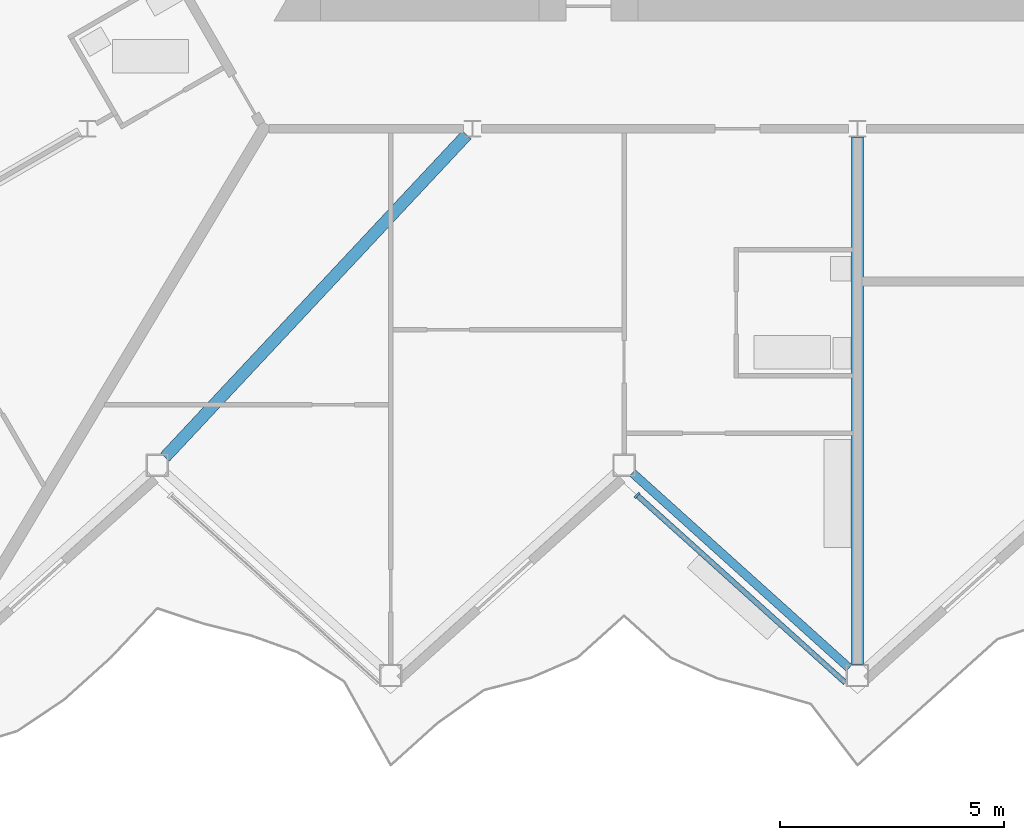
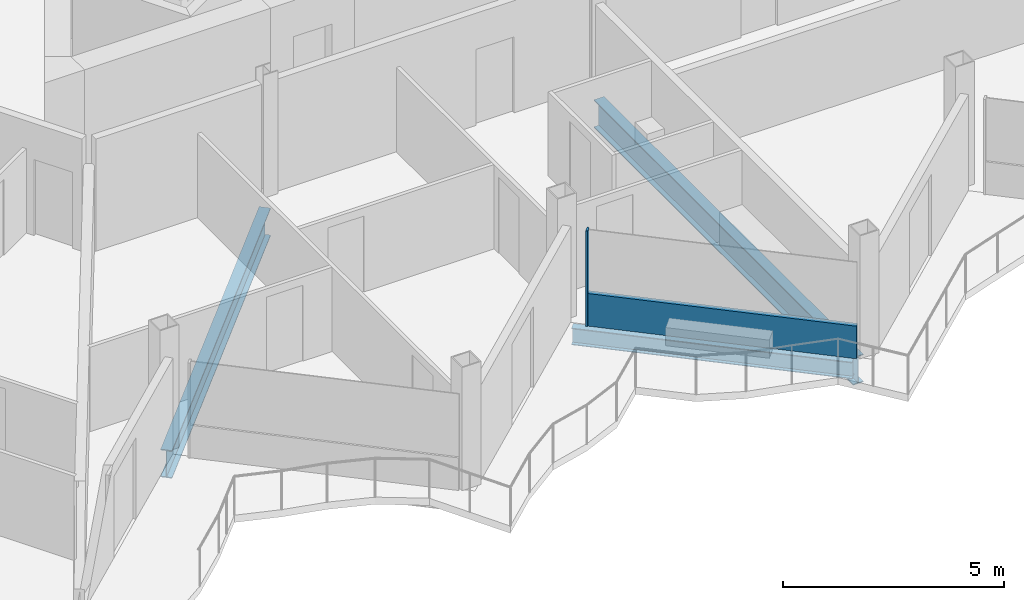
# One storey, part 5 of 26: 3 beams, 2 members, 1 element without a shape of its own.
"""IFC4 building model written with IfcOpenShell, lengths in metres."""

from ifc_helpers import new_model, si_unit, direction, frame, origin, origin_2d, place, context, subcontext, project, spatial, rectangle, i_section, extrude, material, layer, layer_set, material_profile, profile_set, type_object, element, aggregate, save


model = new_model("IFC4")

# Units and contexts
model_context = context("Model", 3, precision=1e-05, world=origin(), true_north=direction((0.0, 1.0)))
body_context = subcontext(model_context, "Body", "Model", "MODEL_VIEW")
ifc_project = project(units=[si_unit("LENGTHUNIT", "METRE"), si_unit("AREAUNIT", "SQUARE_METRE"), si_unit("VOLUMEUNIT", "CUBIC_METRE"), si_unit("PLANEANGLEUNIT", "RADIAN"), si_unit("MASSUNIT", "GRAM", prefix="KILO")], contexts=[model_context])

# Site, building, storey
site_placement = place(None, origin())
site = spatial("IfcSite", under=ifc_project, at=site_placement, CompositionType="ELEMENT")
building_placement = place(site_placement, origin())
building = spatial("IfcBuilding", under=site, at=building_placement, Name="Cormorant Prow Tower", CompositionType="ELEMENT")
storey_placement = place(building_placement, frame((0.0, 0.0, 384.800048828125)))
storey = spatial("IfcBuildingStorey", under=building, at=storey_placement, Name="L87", CompositionType="ELEMENT", Elevation=384.800048828125)

# Beams
ifc_material_1 = material(Name="Structural steel ASTM A992 Gr 50", Category="steel")
ifc_material_profile_1 = material_profile(ifc_material_1, i_section(OverallWidth=0.267822265625, OverallDepth=0.77001953125, WebThickness=0.015625, FlangeThickness=0.025390625, at=origin_2d()), Name="W30x132")
ifc_profile_set_1 = profile_set([ifc_material_profile_1], Name="Structural steel ASTM A992 Gr 50")
beam_type_1 = type_object("IfcBeamType", Name="Radial floor beam W30x132", PredefinedType="BEAM", material=ifc_profile_set_1)
beam_1_placement = place(storey_placement, frame((-8.706298828125, -10.0419921875, -0.68505859375), z_axis=(-0.683430760659, -0.730015339144, 0.0), x_axis=(0.730015339144, -0.683430760659, 0.0)))
element("IfcBeam", 1, at=beam_1_placement, inside=storey, type_object=beam_type_1, Name="Radial floor beam FB3 6 L87", PredefinedType="BEAM", context=body_context, shape_type="SweptSolid", body=[
    extrude(i_section(OverallWidth=0.267822265625, OverallDepth=0.77001953125, WebThickness=0.015625, FlangeThickness=0.025390625, at=origin_2d()), origin(), (0.0, 0.0, 1.0), 9.8369140625),
])
beam_2_placement = place(storey_placement, frame((0.0, -10.092529296875, -0.68505859375), z_axis=(0.0, -1.0, 0.0), x_axis=(1.0, 0.0, 0.0)))
element("IfcBeam", 2, at=beam_2_placement, inside=storey, type_object=beam_type_1, Name="Radial floor beam FB3 7 L87", PredefinedType="BEAM", context=body_context, shape_type="SweptSolid", body=[
    extrude(i_section(OverallWidth=0.267822265625, OverallDepth=0.77001953125, WebThickness=0.015625, FlangeThickness=0.025390625, at=origin_2d()), origin(), (0.0, 0.0, 1.0), 11.745361328125),
])

# Curtain wall, members
ifc_material_2 = material(Name="Aluminium 6063-T6", Category="aluminium")
ifc_layer = layer(ifc_material_2, 0.159912109375)
ifc_layer_set = layer_set([ifc_layer], Name="Aluminium 6063-T6")
curtain_wall_type = type_object("IfcCurtainWallType", Name="Residential unitised curtain wall 160", PredefinedType="NOTDEFINED", material=ifc_layer_set)
curtain_wall_placement = place(storey_placement, origin())
curtain_wall = element("IfcCurtainWall", 3, at=curtain_wall_placement, inside=storey, type_object=curtain_wall_type, Name="Residential curtain wall S04", PredefinedType="NOTDEFINED")
ifc_material_3 = material(Name="Aluminium 6063-T6", Category="aluminium")
ifc_material_profile_2 = material_profile(ifc_material_3, rectangle(XDim=0.159912109375, YDim=0.050048828125, at=origin_2d()), Name="Residential mullion 50x160")
ifc_profile_set_2 = profile_set([ifc_material_profile_2], Name="Aluminium 6063-T6")
member_type_1 = type_object("IfcMemberType", Name="Residential mullion 50x160", PredefinedType="MULLION", material=ifc_profile_set_2)
member_1_placement = place(storey_placement, frame((-4.909423828125, -18.0712890625, 0.0), z_axis=(0.0, 0.0, 1.0), x_axis=(0.669130603959, 0.743144827638, 0.0)))
member_1 = element("IfcMember", 4, at=member_1_placement, type_object=member_type_1, Name="Residential mullion S04", PredefinedType="MULLION", context=body_context, shape_type="SweptSolid", body=[
    extrude(rectangle(XDim=0.159912109375, YDim=0.050048828125, at=origin_2d()), origin(), (0.0, 0.0, 1.0), 2.6337890625),
])
ifc_material_4 = material(Name="Terracotta", Category="masonry")
ifc_material_profile_3 = material_profile(ifc_material_4, rectangle(XDim=0.1201171875, YDim=0.89990234375, at=origin_2d()), Name="Residential terracotta spandrel rail 120x900")
ifc_profile_set_3 = profile_set([ifc_material_profile_3], Name="Terracotta")
member_type_2 = type_object("IfcMemberType", Name="Residential terracotta spandrel rail 120x900", PredefinedType="USERDEFINED", material=ifc_profile_set_3)
member_2_placement = place(storey_placement, frame((-4.890869140625, -18.088134765625, 0.449951171875), z_axis=(0.743159360055, -0.669114463723, 0.0), x_axis=(0.669114463723, 0.743159360055, 0.0)))
member_2 = element("IfcMember", 5, at=member_2_placement, type_object=member_type_2, Name="Residential spandrel rail S04", ObjectType="TRANSOM", PredefinedType="USERDEFINED", context=body_context, shape_type="SweptSolid", body=[
    extrude(rectangle(XDim=0.1201171875, YDim=0.89990234375, at=origin_2d()), origin(), (0.0, 0.0, 1.0), 6.21533203125),
])
aggregate(curtain_wall, [member_1, member_2])

# Beam
ifc_material_5 = material(Name="Structural steel ASTM A992 Gr 50", Category="steel")
ifc_material_profile_4 = material_profile(ifc_material_5, i_section(OverallWidth=0.19287109375, OverallDepth=0.466064453125, WebThickness=0.011474609375, FlangeThickness=0.01904296875, at=origin_2d()), Name="W18x65")
ifc_profile_set_4 = profile_set([ifc_material_profile_4], Name="Structural steel ASTM A992 Gr 50")
beam_type_2 = type_object("IfcBeamType", Name="Spandrel beam W18x65", PredefinedType="SPANDREL", material=ifc_profile_set_4)
beam_3_placement = place(storey_placement, frame((-5.01416015625, -17.572998046875, -0.533203125), z_axis=(0.743131573737, -0.669145323614, 0.0), x_axis=(0.669145323614, 0.743131573737, 0.0)))
element("IfcBeam", 6, at=beam_3_placement, inside=storey, type_object=beam_type_2, Name="Spandrel beam SB4 S04-S05 L87", PredefinedType="SPANDREL", context=body_context, shape_type="SweptSolid", body=[
    extrude(i_section(OverallWidth=0.19287109375, OverallDepth=0.466064453125, WebThickness=0.011474609375, FlangeThickness=0.01904296875, at=origin_2d()), origin(), (0.0, 0.0, 1.0), 6.497314453125),
])

save(model, "model.ifc")
